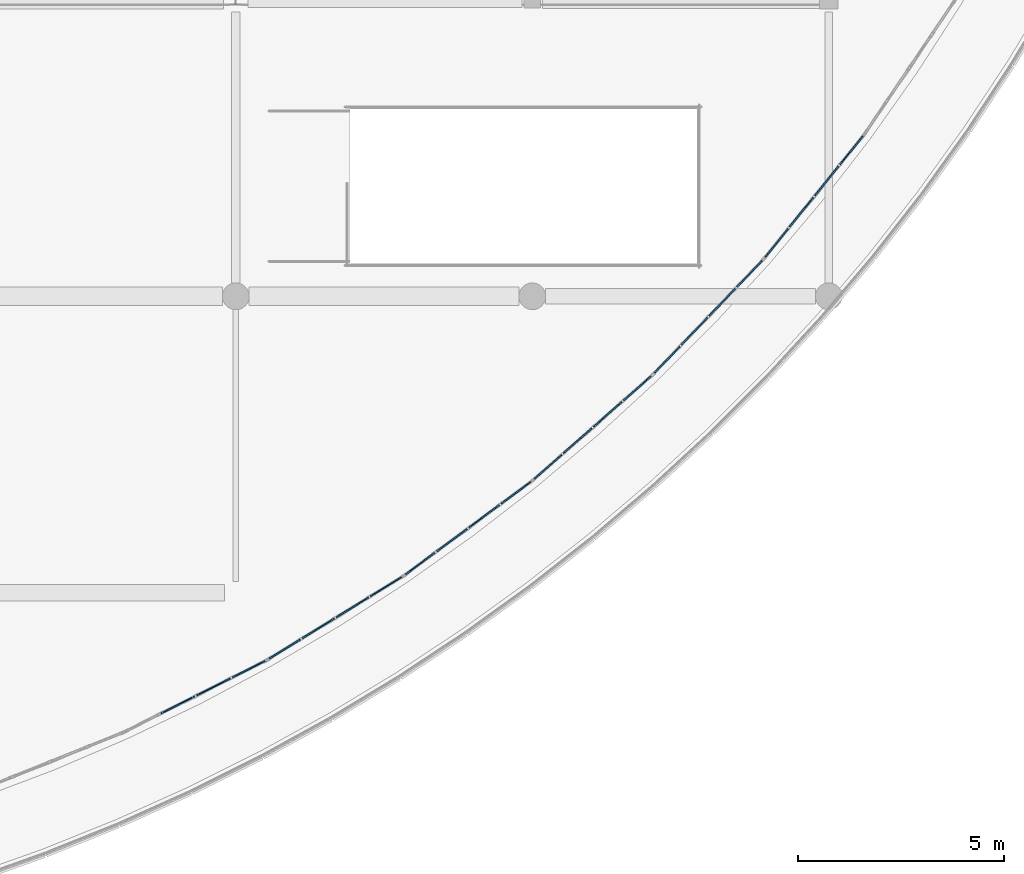
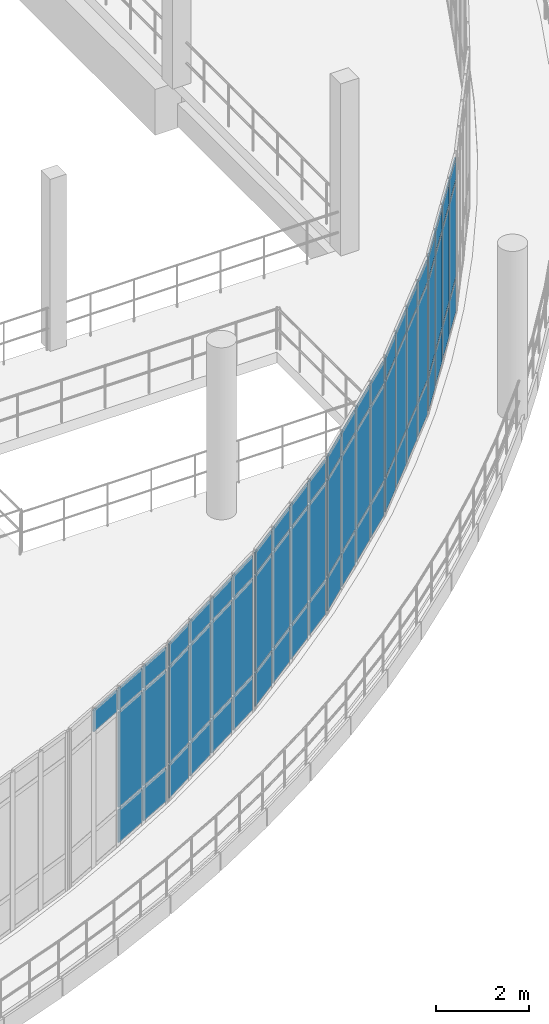
# One storey, part 89 of 116: 67 plates, 6 elements without a shape of their own.
"""IFC4 building model written with IfcOpenShell, lengths in metres."""

from ifc_helpers import new_model, si_unit, direction, frame, origin, origin_2d, place, context, subcontext, project, spatial, rectangle, extrude, material, layer, layer_set, type_object, element, aggregate, save


model = new_model("IFC4")

# Units and contexts
model_context = context("Model", 3, precision=1e-05, world=origin(), true_north=direction((0.0, 1.0)))
body_context = subcontext(model_context, "Body", "Model", "MODEL_VIEW")
ifc_project = project(units=[si_unit("LENGTHUNIT", "METRE"), si_unit("AREAUNIT", "SQUARE_METRE"), si_unit("VOLUMEUNIT", "CUBIC_METRE"), si_unit("PLANEANGLEUNIT", "RADIAN"), si_unit("MASSUNIT", "GRAM", prefix="KILO")], contexts=[model_context])

# Site, building, storey
site_placement = place(None, origin())
site = spatial("IfcSite", under=ifc_project, at=site_placement, CompositionType="ELEMENT")
building_placement = place(site_placement, origin())
building = spatial("IfcBuilding", under=site, at=building_placement, Name="Kalluvel Institute of Natural Sciences", CompositionType="ELEMENT")
storey_placement = place(building_placement, frame((0.0, 0.0, 14.39990234375)))
storey = spatial("IfcBuildingStorey", under=building, at=storey_placement, Name="L03", CompositionType="ELEMENT", Elevation=14.39990234375)

# Curtain wall, plates
ifc_material_1 = material(Name="Aluminium AW-6063 T6", Category="aluminium")
curtain_wall_type = type_object("IfcCurtainWallType", Name="CW-ATR-ARC", PredefinedType="USERDEFINED", material=ifc_material_1)
curtain_wall_1_placement = place(storey_placement, origin())
curtain_wall_1 = element("IfcCurtainWall", 1, at=curtain_wall_1_placement, inside=storey, type_object=curtain_wall_type, Name="L03 Gothic lancet curtain wall CWA-L03-X545-Y610", ObjectType="UNITISED LANCET FACADE", PredefinedType="USERDEFINED")
ifc_material_2 = material(Name="Solar-Control Low-E Laminated Glass", Category="glass")
ifc_layer = layer(ifc_material_2, 0.035888671875)
ifc_layer_set = layer_set([ifc_layer], Name="Solar-Control Low-E Laminated Glass")
plate_type = type_object("IfcPlateType", Name="CWP-DGU-36", PredefinedType="CURTAIN_PANEL", material=ifc_layer_set)
plate_1_placement = place(storey_placement, frame((55.788818359375, 61.67724609375, 3.530029296875), z_axis=(0.0, 0.0, 1.0), x_axis=(0.892926741655, 0.450201992484, 0.0)))
plate_1 = element("IfcPlate", 2, at=plate_1_placement, type_object=plate_type, Name="CW-05 panel 2.3", PredefinedType="CURTAIN_PANEL", context=body_context, shape_type="SweptSolid", body=[
    extrude(rectangle(XDim=0.912841796875, YDim=0.035888671875, at=origin_2d()), origin(), (0.0, 0.0, 1.0), 0.56005859375),
])
plate_2_placement = place(storey_placement, frame((56.65771484375, 62.115234375, 0.06005859375), z_axis=(0.0, 0.0, 1.0), x_axis=(0.892926741655, 0.450201992484, 0.0)))
plate_2 = element("IfcPlate", 3, at=plate_2_placement, type_object=plate_type, Name="CW-05 panel 3.1", PredefinedType="CURTAIN_PANEL", context=body_context, shape_type="SweptSolid", body=[
    extrude(rectangle(XDim=0.912841796875, YDim=0.035888671875, at=origin_2d()), origin(), (0.0, 0.0, 1.0), 0.860107421875),
])
plate_3_placement = place(storey_placement, frame((56.65771484375, 62.115234375, 0.97998046875), z_axis=(0.0, 0.0, 1.0), x_axis=(0.892926741655, 0.450201992484, 0.0)))
plate_3 = element("IfcPlate", 4, at=plate_3_placement, type_object=plate_type, Name="CW-05 panel 3.2", PredefinedType="CURTAIN_PANEL", context=body_context, shape_type="SweptSolid", body=[
    extrude(rectangle(XDim=0.912841796875, YDim=0.035888671875, at=origin_2d()), origin(), (0.0, 0.0, 1.0), 2.489990234375),
])
plate_4_placement = place(storey_placement, frame((56.65771484375, 62.115234375, 3.530029296875), z_axis=(0.0, 0.0, 1.0), x_axis=(0.892926741655, 0.450201992484, 0.0)))
plate_4 = element("IfcPlate", 5, at=plate_4_placement, type_object=plate_type, Name="CW-05 panel 3.3", PredefinedType="CURTAIN_PANEL", context=body_context, shape_type="SweptSolid", body=[
    extrude(rectangle(XDim=0.912841796875, YDim=0.035888671875, at=origin_2d()), origin(), (0.0, 0.0, 1.0), 0.56005859375),
])
plate_5_placement = place(storey_placement, frame((57.512939453125, 62.546630859375, 0.06005859375), z_axis=(0.0, 0.0, 1.0), x_axis=(0.892926741655, 0.450201992484, 0.0)))
plate_5 = element("IfcPlate", 6, at=plate_5_placement, type_object=plate_type, Name="CW-05 panel 4.1", PredefinedType="CURTAIN_PANEL", context=body_context, shape_type="SweptSolid", body=[
    extrude(rectangle(XDim=0.883056640625, YDim=0.035888671875, at=origin_2d()), origin(), (0.0, 0.0, 1.0), 0.860107421875),
])
plate_6_placement = place(storey_placement, frame((57.512939453125, 62.546630859375, 0.97998046875), z_axis=(0.0, 0.0, 1.0), x_axis=(0.892926741655, 0.450201992484, 0.0)))
plate_6 = element("IfcPlate", 7, at=plate_6_placement, type_object=plate_type, Name="CW-05 panel 4.2", PredefinedType="CURTAIN_PANEL", context=body_context, shape_type="SweptSolid", body=[
    extrude(rectangle(XDim=0.883056640625, YDim=0.035888671875, at=origin_2d()), origin(), (0.0, 0.0, 1.0), 2.489990234375),
])
plate_7_placement = place(storey_placement, frame((57.512939453125, 62.546630859375, 3.530029296875), z_axis=(0.0, 0.0, 1.0), x_axis=(0.892926741655, 0.450201992484, 0.0)))
plate_7 = element("IfcPlate", 8, at=plate_7_placement, type_object=plate_type, Name="CW-05 panel 4.3", PredefinedType="CURTAIN_PANEL", context=body_context, shape_type="SweptSolid", body=[
    extrude(rectangle(XDim=0.883056640625, YDim=0.035888671875, at=origin_2d()), origin(), (0.0, 0.0, 1.0), 0.56005859375),
])
aggregate(curtain_wall_1, [plate_1, plate_2, plate_3, plate_4, plate_5, plate_6, plate_7])

curtain_wall_2_placement = place(storey_placement, origin())
curtain_wall_2 = element("IfcCurtainWall", 9, at=curtain_wall_2_placement, inside=storey, type_object=curtain_wall_type, Name="L03 Gothic lancet curtain wall CWA-L03-X580-Y628", ObjectType="UNITISED LANCET FACADE", PredefinedType="USERDEFINED")
plate_8_placement = place(storey_placement, frame((58.387939453125, 63.03515625, 0.06005859375), z_axis=(0.0, 0.0, 1.0), x_axis=(0.851530368019, 0.524305285442, 0.0)))
plate_8 = element("IfcPlate", 10, at=plate_8_placement, type_object=plate_type, Name="CW-05 panel 1.1", PredefinedType="CURTAIN_PANEL", context=body_context, shape_type="SweptSolid", body=[
    extrude(rectangle(XDim=0.883056640625, YDim=0.035888671875, at=origin_2d()), origin(), (0.0, 0.0, 1.0), 0.860107421875),
])
plate_9_placement = place(storey_placement, frame((58.387939453125, 63.03515625, 0.97998046875), z_axis=(0.0, 0.0, 1.0), x_axis=(0.851530368019, 0.524305285442, 0.0)))
plate_9 = element("IfcPlate", 11, at=plate_9_placement, type_object=plate_type, Name="CW-05 panel 1.2", PredefinedType="CURTAIN_PANEL", context=body_context, shape_type="SweptSolid", body=[
    extrude(rectangle(XDim=0.883056640625, YDim=0.035888671875, at=origin_2d()), origin(), (0.0, 0.0, 1.0), 2.489990234375),
])
plate_10_placement = place(storey_placement, frame((58.387939453125, 63.03515625, 3.530029296875), z_axis=(0.0, 0.0, 1.0), x_axis=(0.851530368019, 0.524305285442, 0.0)))
plate_10 = element("IfcPlate", 12, at=plate_10_placement, type_object=plate_type, Name="CW-05 panel 1.3", PredefinedType="CURTAIN_PANEL", context=body_context, shape_type="SweptSolid", body=[
    extrude(rectangle(XDim=0.883056640625, YDim=0.035888671875, at=origin_2d()), origin(), (0.0, 0.0, 1.0), 0.56005859375),
])
plate_11_placement = place(storey_placement, frame((59.20361328125, 63.53759765625, 0.06005859375), z_axis=(0.0, 0.0, 1.0), x_axis=(0.851530368019, 0.524305285442, 0.0)))
plate_11 = element("IfcPlate", 13, at=plate_11_placement, type_object=plate_type, Name="CW-05 panel 2.1", PredefinedType="CURTAIN_PANEL", context=body_context, shape_type="SweptSolid", body=[
    extrude(rectangle(XDim=0.912841796875, YDim=0.035888671875, at=origin_2d()), origin(), (0.0, 0.0, 1.0), 0.860107421875),
])
plate_12_placement = place(storey_placement, frame((59.20361328125, 63.53759765625, 0.97998046875), z_axis=(0.0, 0.0, 1.0), x_axis=(0.851530368019, 0.524305285442, 0.0)))
plate_12 = element("IfcPlate", 14, at=plate_12_placement, type_object=plate_type, Name="CW-05 panel 2.2", PredefinedType="CURTAIN_PANEL", context=body_context, shape_type="SweptSolid", body=[
    extrude(rectangle(XDim=0.912841796875, YDim=0.035888671875, at=origin_2d()), origin(), (0.0, 0.0, 1.0), 2.489990234375),
])
plate_13_placement = place(storey_placement, frame((59.20361328125, 63.53759765625, 3.530029296875), z_axis=(0.0, 0.0, 1.0), x_axis=(0.851530368019, 0.524305285442, 0.0)))
plate_13 = element("IfcPlate", 15, at=plate_13_placement, type_object=plate_type, Name="CW-05 panel 2.3", PredefinedType="CURTAIN_PANEL", context=body_context, shape_type="SweptSolid", body=[
    extrude(rectangle(XDim=0.912841796875, YDim=0.035888671875, at=origin_2d()), origin(), (0.0, 0.0, 1.0), 0.56005859375),
])
plate_14_placement = place(storey_placement, frame((60.031982421875, 64.047607421875, 0.06005859375), z_axis=(0.0, 0.0, 1.0), x_axis=(0.851530368019, 0.524305285442, 0.0)))
plate_14 = element("IfcPlate", 16, at=plate_14_placement, type_object=plate_type, Name="CW-05 panel 3.1", PredefinedType="CURTAIN_PANEL", context=body_context, shape_type="SweptSolid", body=[
    extrude(rectangle(XDim=0.912841796875, YDim=0.035888671875, at=origin_2d()), origin(), (0.0, 0.0, 1.0), 0.860107421875),
])
plate_15_placement = place(storey_placement, frame((60.031982421875, 64.047607421875, 0.97998046875), z_axis=(0.0, 0.0, 1.0), x_axis=(0.851530368019, 0.524305285442, 0.0)))
plate_15 = element("IfcPlate", 17, at=plate_15_placement, type_object=plate_type, Name="CW-05 panel 3.2", PredefinedType="CURTAIN_PANEL", context=body_context, shape_type="SweptSolid", body=[
    extrude(rectangle(XDim=0.912841796875, YDim=0.035888671875, at=origin_2d()), origin(), (0.0, 0.0, 1.0), 2.489990234375),
])
plate_16_placement = place(storey_placement, frame((60.031982421875, 64.047607421875, 3.530029296875), z_axis=(0.0, 0.0, 1.0), x_axis=(0.851530368019, 0.524305285442, 0.0)))
plate_16 = element("IfcPlate", 18, at=plate_16_placement, type_object=plate_type, Name="CW-05 panel 3.3", PredefinedType="CURTAIN_PANEL", context=body_context, shape_type="SweptSolid", body=[
    extrude(rectangle(XDim=0.912841796875, YDim=0.035888671875, at=origin_2d()), origin(), (0.0, 0.0, 1.0), 0.56005859375),
])
plate_17_placement = place(storey_placement, frame((60.84765625, 64.5498046875, 0.06005859375), z_axis=(0.0, 0.0, 1.0), x_axis=(0.851530368019, 0.524305285442, 0.0)))
plate_17 = element("IfcPlate", 19, at=plate_17_placement, type_object=plate_type, Name="CW-05 panel 4.1", PredefinedType="CURTAIN_PANEL", context=body_context, shape_type="SweptSolid", body=[
    extrude(rectangle(XDim=0.883056640625, YDim=0.035888671875, at=origin_2d()), origin(), (0.0, 0.0, 1.0), 0.860107421875),
])
plate_18_placement = place(storey_placement, frame((60.84765625, 64.5498046875, 0.97998046875), z_axis=(0.0, 0.0, 1.0), x_axis=(0.851530368019, 0.524305285442, 0.0)))
plate_18 = element("IfcPlate", 20, at=plate_18_placement, type_object=plate_type, Name="CW-05 panel 4.2", PredefinedType="CURTAIN_PANEL", context=body_context, shape_type="SweptSolid", body=[
    extrude(rectangle(XDim=0.883056640625, YDim=0.035888671875, at=origin_2d()), origin(), (0.0, 0.0, 1.0), 2.489990234375),
])
plate_19_placement = place(storey_placement, frame((60.84765625, 64.5498046875, 3.530029296875), z_axis=(0.0, 0.0, 1.0), x_axis=(0.851530368019, 0.524305285442, 0.0)))
plate_19 = element("IfcPlate", 21, at=plate_19_placement, type_object=plate_type, Name="CW-05 panel 4.3", PredefinedType="CURTAIN_PANEL", context=body_context, shape_type="SweptSolid", body=[
    extrude(rectangle(XDim=0.883056640625, YDim=0.035888671875, at=origin_2d()), origin(), (0.0, 0.0, 1.0), 0.56005859375),
])
aggregate(curtain_wall_2, [plate_8, plate_9, plate_10, plate_11, plate_12, plate_13, plate_14, plate_15, plate_16, plate_17, plate_18, plate_19])

curtain_wall_3_placement = place(storey_placement, origin())
curtain_wall_3 = element("IfcCurtainWall", 22, at=curtain_wall_3_placement, inside=storey, type_object=curtain_wall_type, Name="L03 Gothic lancet curtain wall CWA-L03-X613-Y648", ObjectType="UNITISED LANCET FACADE", PredefinedType="USERDEFINED")
plate_20_placement = place(storey_placement, frame((61.677978515625, 65.111083984375, 0.06005859375), z_axis=(0.0, 0.0, 1.0), x_axis=(0.803993480794, 0.594638110821, 0.0)))
plate_20 = element("IfcPlate", 23, at=plate_20_placement, type_object=plate_type, Name="CW-05 panel 1.1", PredefinedType="CURTAIN_PANEL", context=body_context, shape_type="SweptSolid", body=[
    extrude(rectangle(XDim=0.883056640625, YDim=0.035888671875, at=origin_2d()), origin(), (0.0, 0.0, 1.0), 0.860107421875),
])
plate_21_placement = place(storey_placement, frame((61.677978515625, 65.111083984375, 0.97998046875), z_axis=(0.0, 0.0, 1.0), x_axis=(0.803993480794, 0.594638110821, 0.0)))
plate_21 = element("IfcPlate", 24, at=plate_21_placement, type_object=plate_type, Name="CW-05 panel 1.2", PredefinedType="CURTAIN_PANEL", context=body_context, shape_type="SweptSolid", body=[
    extrude(rectangle(XDim=0.883056640625, YDim=0.035888671875, at=origin_2d()), origin(), (0.0, 0.0, 1.0), 2.489990234375),
])
plate_22_placement = place(storey_placement, frame((61.677978515625, 65.111083984375, 3.530029296875), z_axis=(0.0, 0.0, 1.0), x_axis=(0.803993480794, 0.594638110821, 0.0)))
plate_22 = element("IfcPlate", 25, at=plate_22_placement, type_object=plate_type, Name="CW-05 panel 1.3", PredefinedType="CURTAIN_PANEL", context=body_context, shape_type="SweptSolid", body=[
    extrude(rectangle(XDim=0.883056640625, YDim=0.035888671875, at=origin_2d()), origin(), (0.0, 0.0, 1.0), 0.56005859375),
])
plate_23_placement = place(storey_placement, frame((62.4482421875, 65.6806640625, 0.06005859375), z_axis=(0.0, 0.0, 1.0), x_axis=(0.803993480794, 0.594638110821, 0.0)))
plate_23 = element("IfcPlate", 26, at=plate_23_placement, type_object=plate_type, Name="CW-05 panel 2.1", PredefinedType="CURTAIN_PANEL", context=body_context, shape_type="SweptSolid", body=[
    extrude(rectangle(XDim=0.9130859375, YDim=0.035888671875, at=origin_2d()), origin(), (0.0, 0.0, 1.0), 0.860107421875),
])
plate_24_placement = place(storey_placement, frame((62.4482421875, 65.6806640625, 0.97998046875), z_axis=(0.0, 0.0, 1.0), x_axis=(0.803993480794, 0.594638110821, 0.0)))
plate_24 = element("IfcPlate", 27, at=plate_24_placement, type_object=plate_type, Name="CW-05 panel 2.2", PredefinedType="CURTAIN_PANEL", context=body_context, shape_type="SweptSolid", body=[
    extrude(rectangle(XDim=0.9130859375, YDim=0.035888671875, at=origin_2d()), origin(), (0.0, 0.0, 1.0), 2.489990234375),
])
plate_25_placement = place(storey_placement, frame((62.4482421875, 65.6806640625, 3.530029296875), z_axis=(0.0, 0.0, 1.0), x_axis=(0.803993480794, 0.594638110821, 0.0)))
plate_25 = element("IfcPlate", 28, at=plate_25_placement, type_object=plate_type, Name="CW-05 panel 2.3", PredefinedType="CURTAIN_PANEL", context=body_context, shape_type="SweptSolid", body=[
    extrude(rectangle(XDim=0.9130859375, YDim=0.035888671875, at=origin_2d()), origin(), (0.0, 0.0, 1.0), 0.56005859375),
])
plate_26_placement = place(storey_placement, frame((63.23046875, 66.25927734375, 0.06005859375), z_axis=(0.0, 0.0, 1.0), x_axis=(0.803993480794, 0.594638110821, 0.0)))
plate_26 = element("IfcPlate", 29, at=plate_26_placement, type_object=plate_type, Name="CW-05 panel 3.1", PredefinedType="CURTAIN_PANEL", context=body_context, shape_type="SweptSolid", body=[
    extrude(rectangle(XDim=0.9130859375, YDim=0.035888671875, at=origin_2d()), origin(), (0.0, 0.0, 1.0), 0.860107421875),
])
plate_27_placement = place(storey_placement, frame((63.23046875, 66.25927734375, 0.97998046875), z_axis=(0.0, 0.0, 1.0), x_axis=(0.803993480794, 0.594638110821, 0.0)))
plate_27 = element("IfcPlate", 30, at=plate_27_placement, type_object=plate_type, Name="CW-05 panel 3.2", PredefinedType="CURTAIN_PANEL", context=body_context, shape_type="SweptSolid", body=[
    extrude(rectangle(XDim=0.9130859375, YDim=0.035888671875, at=origin_2d()), origin(), (0.0, 0.0, 1.0), 2.489990234375),
])
plate_28_placement = place(storey_placement, frame((63.23046875, 66.25927734375, 3.530029296875), z_axis=(0.0, 0.0, 1.0), x_axis=(0.803993480794, 0.594638110821, 0.0)))
plate_28 = element("IfcPlate", 31, at=plate_28_placement, type_object=plate_type, Name="CW-05 panel 3.3", PredefinedType="CURTAIN_PANEL", context=body_context, shape_type="SweptSolid", body=[
    extrude(rectangle(XDim=0.9130859375, YDim=0.035888671875, at=origin_2d()), origin(), (0.0, 0.0, 1.0), 0.56005859375),
])
plate_29_placement = place(storey_placement, frame((64.000732421875, 66.828857421875, 0.06005859375), z_axis=(0.0, 0.0, 1.0), x_axis=(0.803993480794, 0.594638110821, 0.0)))
plate_29 = element("IfcPlate", 32, at=plate_29_placement, type_object=plate_type, Name="CW-05 panel 4.1", PredefinedType="CURTAIN_PANEL", context=body_context, shape_type="SweptSolid", body=[
    extrude(rectangle(XDim=0.883056640625, YDim=0.035888671875, at=origin_2d()), origin(), (0.0, 0.0, 1.0), 0.860107421875),
])
plate_30_placement = place(storey_placement, frame((64.000732421875, 66.828857421875, 0.97998046875), z_axis=(0.0, 0.0, 1.0), x_axis=(0.803993480794, 0.594638110821, 0.0)))
plate_30 = element("IfcPlate", 33, at=plate_30_placement, type_object=plate_type, Name="CW-05 panel 4.2", PredefinedType="CURTAIN_PANEL", context=body_context, shape_type="SweptSolid", body=[
    extrude(rectangle(XDim=0.883056640625, YDim=0.035888671875, at=origin_2d()), origin(), (0.0, 0.0, 1.0), 2.489990234375),
])
plate_31_placement = place(storey_placement, frame((64.000732421875, 66.828857421875, 3.530029296875), z_axis=(0.0, 0.0, 1.0), x_axis=(0.803993480794, 0.594638110821, 0.0)))
plate_31 = element("IfcPlate", 34, at=plate_31_placement, type_object=plate_type, Name="CW-05 panel 4.3", PredefinedType="CURTAIN_PANEL", context=body_context, shape_type="SweptSolid", body=[
    extrude(rectangle(XDim=0.883056640625, YDim=0.035888671875, at=origin_2d()), origin(), (0.0, 0.0, 1.0), 0.56005859375),
])
aggregate(curtain_wall_3, [plate_20, plate_21, plate_22, plate_23, plate_24, plate_25, plate_26, plate_27, plate_28, plate_29, plate_30, plate_31])

curtain_wall_4_placement = place(storey_placement, origin())
curtain_wall_4 = element("IfcCurtainWall", 35, at=curtain_wall_4_placement, inside=storey, type_object=curtain_wall_type, Name="L03 Gothic lancet curtain wall CWA-L03-X644-Y671", ObjectType="UNITISED LANCET FACADE", PredefinedType="USERDEFINED")
plate_32_placement = place(storey_placement, frame((64.7802734375, 67.45849609375, 0.06005859375), z_axis=(0.0, 0.0, 1.0), x_axis=(0.75067783484, 0.660668440506, 0.0)))
plate_32 = element("IfcPlate", 36, at=plate_32_placement, type_object=plate_type, Name="CW-05 panel 1.1", PredefinedType="CURTAIN_PANEL", context=body_context, shape_type="SweptSolid", body=[
    extrude(rectangle(XDim=0.883056640625, YDim=0.035888671875, at=origin_2d()), origin(), (0.0, 0.0, 1.0), 0.860107421875),
])
plate_33_placement = place(storey_placement, frame((64.7802734375, 67.45849609375, 0.97998046875), z_axis=(0.0, 0.0, 1.0), x_axis=(0.75067783484, 0.660668440506, 0.0)))
plate_33 = element("IfcPlate", 37, at=plate_33_placement, type_object=plate_type, Name="CW-05 panel 1.2", PredefinedType="CURTAIN_PANEL", context=body_context, shape_type="SweptSolid", body=[
    extrude(rectangle(XDim=0.883056640625, YDim=0.035888671875, at=origin_2d()), origin(), (0.0, 0.0, 1.0), 2.489990234375),
])
plate_34_placement = place(storey_placement, frame((64.7802734375, 67.45849609375, 3.530029296875), z_axis=(0.0, 0.0, 1.0), x_axis=(0.75067783484, 0.660668440506, 0.0)))
plate_34 = element("IfcPlate", 38, at=plate_34_placement, type_object=plate_type, Name="CW-05 panel 1.3", PredefinedType="CURTAIN_PANEL", context=body_context, shape_type="SweptSolid", body=[
    extrude(rectangle(XDim=0.883056640625, YDim=0.035888671875, at=origin_2d()), origin(), (0.0, 0.0, 1.0), 0.56005859375),
])
plate_35_placement = place(storey_placement, frame((65.49951171875, 68.09130859375, 0.06005859375), z_axis=(0.0, 0.0, 1.0), x_axis=(0.75067783484, 0.660668440506, 0.0)))
plate_35 = element("IfcPlate", 39, at=plate_35_placement, type_object=plate_type, Name="CW-05 panel 2.1", PredefinedType="CURTAIN_PANEL", context=body_context, shape_type="SweptSolid", body=[
    extrude(rectangle(XDim=0.912841796875, YDim=0.035888671875, at=origin_2d()), origin(), (0.0, 0.0, 1.0), 0.860107421875),
])
plate_36_placement = place(storey_placement, frame((65.49951171875, 68.09130859375, 0.97998046875), z_axis=(0.0, 0.0, 1.0), x_axis=(0.75067783484, 0.660668440506, 0.0)))
plate_36 = element("IfcPlate", 40, at=plate_36_placement, type_object=plate_type, Name="CW-05 panel 2.2", PredefinedType="CURTAIN_PANEL", context=body_context, shape_type="SweptSolid", body=[
    extrude(rectangle(XDim=0.912841796875, YDim=0.035888671875, at=origin_2d()), origin(), (0.0, 0.0, 1.0), 2.489990234375),
])
plate_37_placement = place(storey_placement, frame((65.49951171875, 68.09130859375, 3.530029296875), z_axis=(0.0, 0.0, 1.0), x_axis=(0.75067783484, 0.660668440506, 0.0)))
plate_37 = element("IfcPlate", 41, at=plate_37_placement, type_object=plate_type, Name="CW-05 panel 2.3", PredefinedType="CURTAIN_PANEL", context=body_context, shape_type="SweptSolid", body=[
    extrude(rectangle(XDim=0.912841796875, YDim=0.035888671875, at=origin_2d()), origin(), (0.0, 0.0, 1.0), 0.56005859375),
])
plate_38_placement = place(storey_placement, frame((66.229736328125, 68.734130859375, 0.06005859375), z_axis=(0.0, 0.0, 1.0), x_axis=(0.75067783484, 0.660668440506, 0.0)))
plate_38 = element("IfcPlate", 42, at=plate_38_placement, type_object=plate_type, Name="CW-05 panel 3.1", PredefinedType="CURTAIN_PANEL", context=body_context, shape_type="SweptSolid", body=[
    extrude(rectangle(XDim=0.912841796875, YDim=0.035888671875, at=origin_2d()), origin(), (0.0, 0.0, 1.0), 0.860107421875),
])
plate_39_placement = place(storey_placement, frame((66.229736328125, 68.734130859375, 0.97998046875), z_axis=(0.0, 0.0, 1.0), x_axis=(0.75067783484, 0.660668440506, 0.0)))
plate_39 = element("IfcPlate", 43, at=plate_39_placement, type_object=plate_type, Name="CW-05 panel 3.2", PredefinedType="CURTAIN_PANEL", context=body_context, shape_type="SweptSolid", body=[
    extrude(rectangle(XDim=0.912841796875, YDim=0.035888671875, at=origin_2d()), origin(), (0.0, 0.0, 1.0), 2.489990234375),
])
plate_40_placement = place(storey_placement, frame((66.229736328125, 68.734130859375, 3.530029296875), z_axis=(0.0, 0.0, 1.0), x_axis=(0.75067783484, 0.660668440506, 0.0)))
plate_40 = element("IfcPlate", 44, at=plate_40_placement, type_object=plate_type, Name="CW-05 panel 3.3", PredefinedType="CURTAIN_PANEL", context=body_context, shape_type="SweptSolid", body=[
    extrude(rectangle(XDim=0.912841796875, YDim=0.035888671875, at=origin_2d()), origin(), (0.0, 0.0, 1.0), 0.56005859375),
])
plate_41_placement = place(storey_placement, frame((66.948974609375, 69.366943359375, 0.06005859375), z_axis=(0.0, 0.0, 1.0), x_axis=(0.75067783484, 0.660668440506, 0.0)))
plate_41 = element("IfcPlate", 45, at=plate_41_placement, type_object=plate_type, Name="CW-05 panel 4.1", PredefinedType="CURTAIN_PANEL", context=body_context, shape_type="SweptSolid", body=[
    extrude(rectangle(XDim=0.883056640625, YDim=0.035888671875, at=origin_2d()), origin(), (0.0, 0.0, 1.0), 0.860107421875),
])
plate_42_placement = place(storey_placement, frame((66.948974609375, 69.366943359375, 0.97998046875), z_axis=(0.0, 0.0, 1.0), x_axis=(0.75067783484, 0.660668440506, 0.0)))
plate_42 = element("IfcPlate", 46, at=plate_42_placement, type_object=plate_type, Name="CW-05 panel 4.2", PredefinedType="CURTAIN_PANEL", context=body_context, shape_type="SweptSolid", body=[
    extrude(rectangle(XDim=0.883056640625, YDim=0.035888671875, at=origin_2d()), origin(), (0.0, 0.0, 1.0), 2.489990234375),
])
plate_43_placement = place(storey_placement, frame((66.948974609375, 69.366943359375, 3.530029296875), z_axis=(0.0, 0.0, 1.0), x_axis=(0.75067783484, 0.660668440506, 0.0)))
plate_43 = element("IfcPlate", 47, at=plate_43_placement, type_object=plate_type, Name="CW-05 panel 4.3", PredefinedType="CURTAIN_PANEL", context=body_context, shape_type="SweptSolid", body=[
    extrude(rectangle(XDim=0.883056640625, YDim=0.035888671875, at=origin_2d()), origin(), (0.0, 0.0, 1.0), 0.56005859375),
])
aggregate(curtain_wall_4, [plate_32, plate_33, plate_34, plate_35, plate_36, plate_37, plate_38, plate_39, plate_40, plate_41, plate_42, plate_43])

curtain_wall_5_placement = place(storey_placement, origin())
curtain_wall_5 = element("IfcCurtainWall", 48, at=curtain_wall_5_placement, inside=storey, type_object=curtain_wall_type, Name="L03 Gothic lancet curtain wall CWA-L03-X673-Y697", ObjectType="UNITISED LANCET FACADE", PredefinedType="USERDEFINED")
plate_44_placement = place(storey_placement, frame((67.67236328125, 70.060302734375, 0.06005859375), z_axis=(0.0, 0.0, 1.0), x_axis=(0.691928801886, 0.721965742346, 0.0)))
plate_44 = element("IfcPlate", 49, at=plate_44_placement, type_object=plate_type, Name="CW-05 panel 1.1", PredefinedType="CURTAIN_PANEL", context=body_context, shape_type="SweptSolid", body=[
    extrude(rectangle(XDim=0.883056640625, YDim=0.035888671875, at=origin_2d()), origin(), (0.0, 0.0, 1.0), 0.860107421875),
])
plate_45_placement = place(storey_placement, frame((67.67236328125, 70.060302734375, 0.97998046875), z_axis=(0.0, 0.0, 1.0), x_axis=(0.691928801886, 0.721965742346, 0.0)))
plate_45 = element("IfcPlate", 50, at=plate_45_placement, type_object=plate_type, Name="CW-05 panel 1.2", PredefinedType="CURTAIN_PANEL", context=body_context, shape_type="SweptSolid", body=[
    extrude(rectangle(XDim=0.883056640625, YDim=0.035888671875, at=origin_2d()), origin(), (0.0, 0.0, 1.0), 2.489990234375),
])
plate_46_placement = place(storey_placement, frame((67.67236328125, 70.060302734375, 3.530029296875), z_axis=(0.0, 0.0, 1.0), x_axis=(0.691928801886, 0.721965742346, 0.0)))
plate_46 = element("IfcPlate", 51, at=plate_46_placement, type_object=plate_type, Name="CW-05 panel 1.3", PredefinedType="CURTAIN_PANEL", context=body_context, shape_type="SweptSolid", body=[
    extrude(rectangle(XDim=0.883056640625, YDim=0.035888671875, at=origin_2d()), origin(), (0.0, 0.0, 1.0), 0.56005859375),
])
plate_47_placement = place(storey_placement, frame((68.335205078125, 70.751953125, 0.06005859375), z_axis=(0.0, 0.0, 1.0), x_axis=(0.691928801886, 0.721965742346, 0.0)))
plate_47 = element("IfcPlate", 52, at=plate_47_placement, type_object=plate_type, Name="CW-05 panel 2.1", PredefinedType="CURTAIN_PANEL", context=body_context, shape_type="SweptSolid", body=[
    extrude(rectangle(XDim=0.9130859375, YDim=0.035888671875, at=origin_2d()), origin(), (0.0, 0.0, 1.0), 0.860107421875),
])
plate_48_placement = place(storey_placement, frame((68.335205078125, 70.751953125, 0.97998046875), z_axis=(0.0, 0.0, 1.0), x_axis=(0.691928801886, 0.721965742346, 0.0)))
plate_48 = element("IfcPlate", 53, at=plate_48_placement, type_object=plate_type, Name="CW-05 panel 2.2", PredefinedType="CURTAIN_PANEL", context=body_context, shape_type="SweptSolid", body=[
    extrude(rectangle(XDim=0.9130859375, YDim=0.035888671875, at=origin_2d()), origin(), (0.0, 0.0, 1.0), 2.489990234375),
])
plate_49_placement = place(storey_placement, frame((68.335205078125, 70.751953125, 3.530029296875), z_axis=(0.0, 0.0, 1.0), x_axis=(0.691928801886, 0.721965742346, 0.0)))
plate_49 = element("IfcPlate", 54, at=plate_49_placement, type_object=plate_type, Name="CW-05 panel 2.3", PredefinedType="CURTAIN_PANEL", context=body_context, shape_type="SweptSolid", body=[
    extrude(rectangle(XDim=0.9130859375, YDim=0.035888671875, at=origin_2d()), origin(), (0.0, 0.0, 1.0), 0.56005859375),
])
plate_50_placement = place(storey_placement, frame((69.008544921875, 71.454345703125, 0.06005859375), z_axis=(0.0, 0.0, 1.0), x_axis=(0.691928801886, 0.721965742346, 0.0)))
plate_50 = element("IfcPlate", 55, at=plate_50_placement, type_object=plate_type, Name="CW-05 panel 3.1", PredefinedType="CURTAIN_PANEL", context=body_context, shape_type="SweptSolid", body=[
    extrude(rectangle(XDim=0.9130859375, YDim=0.035888671875, at=origin_2d()), origin(), (0.0, 0.0, 1.0), 0.860107421875),
])
plate_51_placement = place(storey_placement, frame((69.008544921875, 71.454345703125, 0.97998046875), z_axis=(0.0, 0.0, 1.0), x_axis=(0.691928801886, 0.721965742346, 0.0)))
plate_51 = element("IfcPlate", 56, at=plate_51_placement, type_object=plate_type, Name="CW-05 panel 3.2", PredefinedType="CURTAIN_PANEL", context=body_context, shape_type="SweptSolid", body=[
    extrude(rectangle(XDim=0.9130859375, YDim=0.035888671875, at=origin_2d()), origin(), (0.0, 0.0, 1.0), 2.489990234375),
])
plate_52_placement = place(storey_placement, frame((69.008544921875, 71.454345703125, 3.530029296875), z_axis=(0.0, 0.0, 1.0), x_axis=(0.691928801886, 0.721965742346, 0.0)))
plate_52 = element("IfcPlate", 57, at=plate_52_placement, type_object=plate_type, Name="CW-05 panel 3.3", PredefinedType="CURTAIN_PANEL", context=body_context, shape_type="SweptSolid", body=[
    extrude(rectangle(XDim=0.9130859375, YDim=0.035888671875, at=origin_2d()), origin(), (0.0, 0.0, 1.0), 0.56005859375),
])
plate_53_placement = place(storey_placement, frame((69.67138671875, 72.14599609375, 0.06005859375), z_axis=(0.0, 0.0, 1.0), x_axis=(0.691928801886, 0.721965742346, 0.0)))
plate_53 = element("IfcPlate", 58, at=plate_53_placement, type_object=plate_type, Name="CW-05 panel 4.1", PredefinedType="CURTAIN_PANEL", context=body_context, shape_type="SweptSolid", body=[
    extrude(rectangle(XDim=0.883056640625, YDim=0.035888671875, at=origin_2d()), origin(), (0.0, 0.0, 1.0), 0.860107421875),
])
plate_54_placement = place(storey_placement, frame((69.67138671875, 72.14599609375, 0.97998046875), z_axis=(0.0, 0.0, 1.0), x_axis=(0.691928801886, 0.721965742346, 0.0)))
plate_54 = element("IfcPlate", 59, at=plate_54_placement, type_object=plate_type, Name="CW-05 panel 4.2", PredefinedType="CURTAIN_PANEL", context=body_context, shape_type="SweptSolid", body=[
    extrude(rectangle(XDim=0.883056640625, YDim=0.035888671875, at=origin_2d()), origin(), (0.0, 0.0, 1.0), 2.489990234375),
])
plate_55_placement = place(storey_placement, frame((69.67138671875, 72.14599609375, 3.530029296875), z_axis=(0.0, 0.0, 1.0), x_axis=(0.691928801886, 0.721965742346, 0.0)))
plate_55 = element("IfcPlate", 60, at=plate_55_placement, type_object=plate_type, Name="CW-05 panel 4.3", PredefinedType="CURTAIN_PANEL", context=body_context, shape_type="SweptSolid", body=[
    extrude(rectangle(XDim=0.883056640625, YDim=0.035888671875, at=origin_2d()), origin(), (0.0, 0.0, 1.0), 0.56005859375),
])
aggregate(curtain_wall_5, [plate_44, plate_45, plate_46, plate_47, plate_48, plate_49, plate_50, plate_51, plate_52, plate_53, plate_54, plate_55])

curtain_wall_6_placement = place(storey_placement, origin())
curtain_wall_6 = element("IfcCurtainWall", 61, at=curtain_wall_6_placement, inside=storey, type_object=curtain_wall_type, Name="L03 Gothic lancet curtain wall CWA-L03-X700-Y725", ObjectType="UNITISED LANCET FACADE", PredefinedType="USERDEFINED")
plate_56_placement = place(storey_placement, frame((70.333251953125, 72.898193359375, 0.06005859375), z_axis=(0.0, 0.0, 1.0), x_axis=(0.628229446586, 0.778028124454, 0.0)))
plate_56 = element("IfcPlate", 62, at=plate_56_placement, type_object=plate_type, Name="CW-05 panel 1.1", PredefinedType="CURTAIN_PANEL", context=body_context, shape_type="SweptSolid", body=[
    extrude(rectangle(XDim=0.883056640625, YDim=0.035888671875, at=origin_2d()), origin(), (0.0, 0.0, 1.0), 0.860107421875),
])
plate_57_placement = place(storey_placement, frame((70.333251953125, 72.898193359375, 0.97998046875), z_axis=(0.0, 0.0, 1.0), x_axis=(0.628229446586, 0.778028124454, 0.0)))
plate_57 = element("IfcPlate", 63, at=plate_57_placement, type_object=plate_type, Name="CW-05 panel 1.2", PredefinedType="CURTAIN_PANEL", context=body_context, shape_type="SweptSolid", body=[
    extrude(rectangle(XDim=0.883056640625, YDim=0.035888671875, at=origin_2d()), origin(), (0.0, 0.0, 1.0), 2.489990234375),
])
plate_58_placement = place(storey_placement, frame((70.333251953125, 72.898193359375, 3.530029296875), z_axis=(0.0, 0.0, 1.0), x_axis=(0.628229446586, 0.778028124454, 0.0)))
plate_58 = element("IfcPlate", 64, at=plate_58_placement, type_object=plate_type, Name="CW-05 panel 1.3", PredefinedType="CURTAIN_PANEL", context=body_context, shape_type="SweptSolid", body=[
    extrude(rectangle(XDim=0.883056640625, YDim=0.035888671875, at=origin_2d()), origin(), (0.0, 0.0, 1.0), 0.56005859375),
])
plate_59_placement = place(storey_placement, frame((70.93505859375, 73.6435546875, 0.06005859375), z_axis=(0.0, 0.0, 1.0), x_axis=(0.628229446586, 0.778028124454, 0.0)))
plate_59 = element("IfcPlate", 65, at=plate_59_placement, type_object=plate_type, Name="CW-05 panel 2.1", PredefinedType="CURTAIN_PANEL", context=body_context, shape_type="SweptSolid", body=[
    extrude(rectangle(XDim=0.9130859375, YDim=0.035888671875, at=origin_2d()), origin(), (0.0, 0.0, 1.0), 0.860107421875),
])
plate_60_placement = place(storey_placement, frame((70.93505859375, 73.6435546875, 0.97998046875), z_axis=(0.0, 0.0, 1.0), x_axis=(0.628229446586, 0.778028124454, 0.0)))
plate_60 = element("IfcPlate", 66, at=plate_60_placement, type_object=plate_type, Name="CW-05 panel 2.2", PredefinedType="CURTAIN_PANEL", context=body_context, shape_type="SweptSolid", body=[
    extrude(rectangle(XDim=0.9130859375, YDim=0.035888671875, at=origin_2d()), origin(), (0.0, 0.0, 1.0), 2.489990234375),
])
plate_61_placement = place(storey_placement, frame((70.93505859375, 73.6435546875, 3.530029296875), z_axis=(0.0, 0.0, 1.0), x_axis=(0.628229446586, 0.778028124454, 0.0)))
plate_61 = element("IfcPlate", 67, at=plate_61_placement, type_object=plate_type, Name="CW-05 panel 2.3", PredefinedType="CURTAIN_PANEL", context=body_context, shape_type="SweptSolid", body=[
    extrude(rectangle(XDim=0.9130859375, YDim=0.035888671875, at=origin_2d()), origin(), (0.0, 0.0, 1.0), 0.56005859375),
])
plate_62_placement = place(storey_placement, frame((71.54638671875, 74.400634765625, 0.06005859375), z_axis=(0.0, 0.0, 1.0), x_axis=(0.628229446586, 0.778028124454, 0.0)))
plate_62 = element("IfcPlate", 68, at=plate_62_placement, type_object=plate_type, Name="CW-05 panel 3.1", PredefinedType="CURTAIN_PANEL", context=body_context, shape_type="SweptSolid", body=[
    extrude(rectangle(XDim=0.9130859375, YDim=0.035888671875, at=origin_2d()), origin(), (0.0, 0.0, 1.0), 0.860107421875),
])
plate_63_placement = place(storey_placement, frame((71.54638671875, 74.400634765625, 0.97998046875), z_axis=(0.0, 0.0, 1.0), x_axis=(0.628229446586, 0.778028124454, 0.0)))
plate_63 = element("IfcPlate", 69, at=plate_63_placement, type_object=plate_type, Name="CW-05 panel 3.2", PredefinedType="CURTAIN_PANEL", context=body_context, shape_type="SweptSolid", body=[
    extrude(rectangle(XDim=0.9130859375, YDim=0.035888671875, at=origin_2d()), origin(), (0.0, 0.0, 1.0), 2.489990234375),
])
plate_64_placement = place(storey_placement, frame((71.54638671875, 74.400634765625, 3.530029296875), z_axis=(0.0, 0.0, 1.0), x_axis=(0.628229446586, 0.778028124454, 0.0)))
plate_64 = element("IfcPlate", 70, at=plate_64_placement, type_object=plate_type, Name="CW-05 panel 3.3", PredefinedType="CURTAIN_PANEL", context=body_context, shape_type="SweptSolid", body=[
    extrude(rectangle(XDim=0.9130859375, YDim=0.035888671875, at=origin_2d()), origin(), (0.0, 0.0, 1.0), 0.56005859375),
])
plate_65_placement = place(storey_placement, frame((72.148193359375, 75.14599609375, 0.06005859375), z_axis=(0.0, 0.0, 1.0), x_axis=(0.628229446586, 0.778028124454, 0.0)))
plate_65 = element("IfcPlate", 71, at=plate_65_placement, type_object=plate_type, Name="CW-05 panel 4.1", PredefinedType="CURTAIN_PANEL", context=body_context, shape_type="SweptSolid", body=[
    extrude(rectangle(XDim=0.883056640625, YDim=0.035888671875, at=origin_2d()), origin(), (0.0, 0.0, 1.0), 0.860107421875),
])
plate_66_placement = place(storey_placement, frame((72.148193359375, 75.14599609375, 0.97998046875), z_axis=(0.0, 0.0, 1.0), x_axis=(0.628229446586, 0.778028124454, 0.0)))
plate_66 = element("IfcPlate", 72, at=plate_66_placement, type_object=plate_type, Name="CW-05 panel 4.2", PredefinedType="CURTAIN_PANEL", context=body_context, shape_type="SweptSolid", body=[
    extrude(rectangle(XDim=0.883056640625, YDim=0.035888671875, at=origin_2d()), origin(), (0.0, 0.0, 1.0), 2.489990234375),
])
plate_67_placement = place(storey_placement, frame((72.148193359375, 75.14599609375, 3.530029296875), z_axis=(0.0, 0.0, 1.0), x_axis=(0.628229446586, 0.778028124454, 0.0)))
plate_67 = element("IfcPlate", 73, at=plate_67_placement, type_object=plate_type, Name="CW-05 panel 4.3", PredefinedType="CURTAIN_PANEL", context=body_context, shape_type="SweptSolid", body=[
    extrude(rectangle(XDim=0.883056640625, YDim=0.035888671875, at=origin_2d()), origin(), (0.0, 0.0, 1.0), 0.56005859375),
])
aggregate(curtain_wall_6, [plate_56, plate_57, plate_58, plate_59, plate_60, plate_61, plate_62, plate_63, plate_64, plate_65, plate_66, plate_67])

save(model, "model.ifc")
